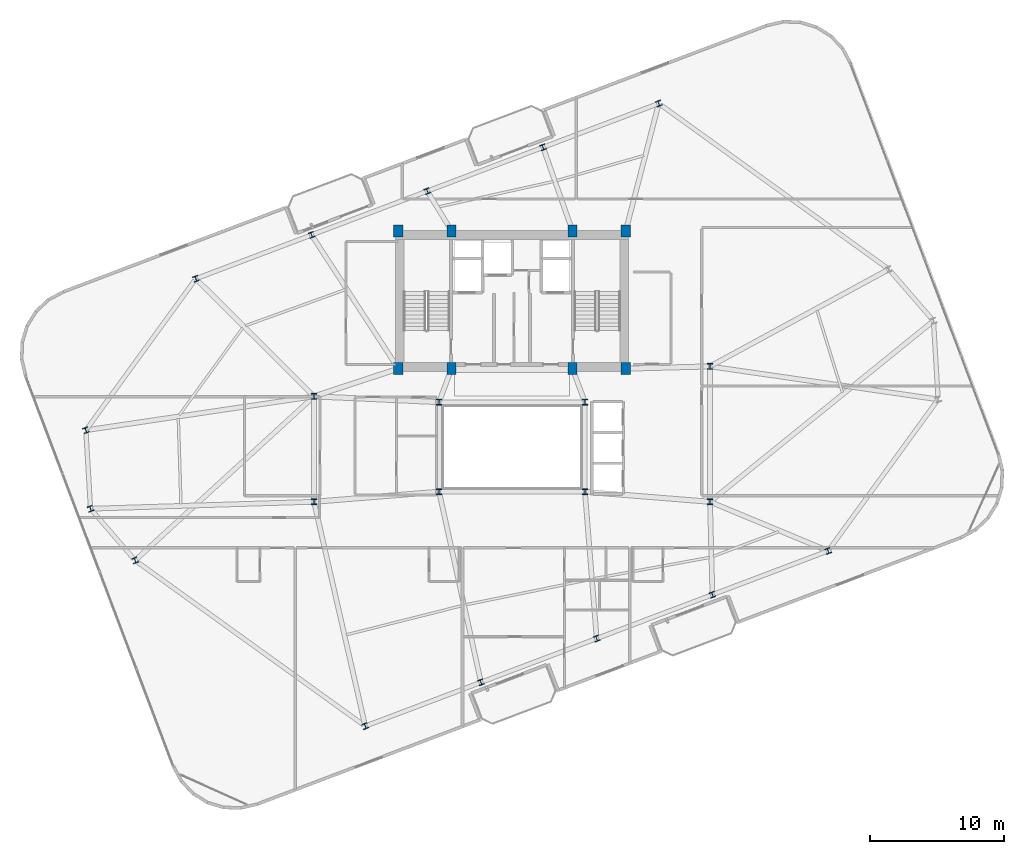
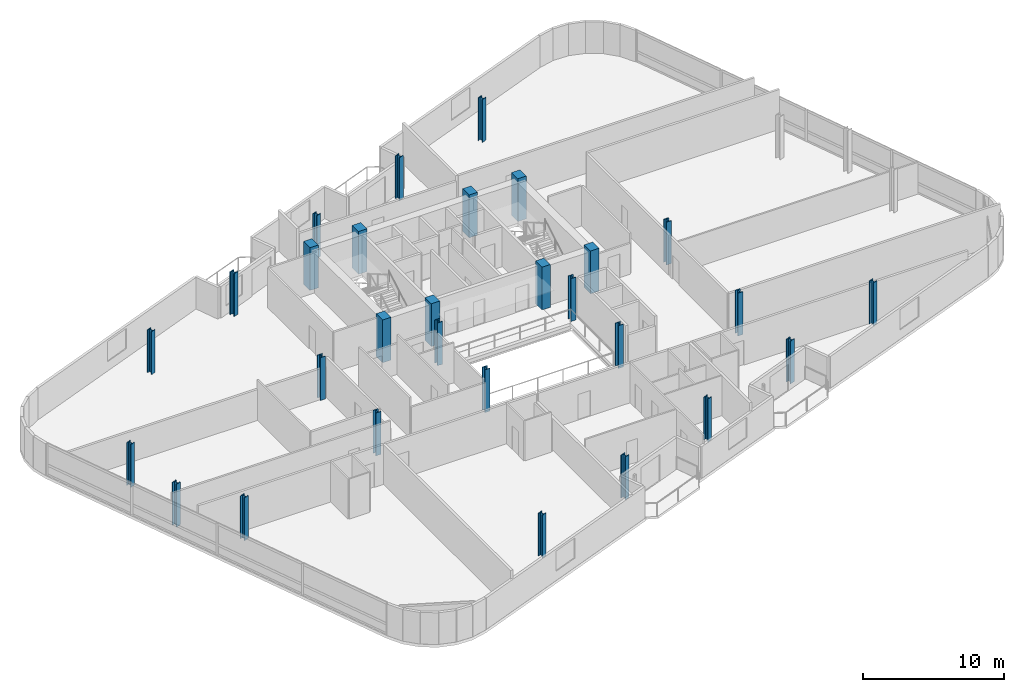
# One storey, part 1 of 23: 29 columns.
"""IFC4 building model written with IfcOpenShell, lengths in metres."""

from ifc_helpers import new_model, si_unit, direction, frame, origin, origin_2d, place, context, subcontext, project, spatial, rectangle, i_section, extrude, material, material_profile, profile_set, type_object, element, save


model = new_model("IFC4")

# Units and contexts
model_context = context("Model", 3, precision=1e-05, world=origin(), true_north=direction((0.0, 1.0)))
body_context = subcontext(model_context, "Body", "Model", "MODEL_VIEW")
ifc_project = project(units=[si_unit("LENGTHUNIT", "METRE"), si_unit("AREAUNIT", "SQUARE_METRE"), si_unit("VOLUMEUNIT", "CUBIC_METRE"), si_unit("PLANEANGLEUNIT", "RADIAN"), si_unit("MASSUNIT", "GRAM", prefix="KILO")], contexts=[model_context])

# Site, building, storey
site_placement = place(None, origin())
site = spatial("IfcSite", under=ifc_project, at=site_placement, CompositionType="ELEMENT")
building_placement = place(site_placement, origin())
building = spatial("IfcBuilding", under=site, at=building_placement, Name="Varnelok Gate Tower", CompositionType="ELEMENT")
storey_placement = place(building_placement, frame((0.0, 0.0, 227.5)))
storey = spatial("IfcBuildingStorey", under=building, at=storey_placement, Name="L58", CompositionType="ELEMENT", Elevation=227.5)

# Columns
ifc_material_1 = material(Name="Concrete C60/75", Category="concrete")
ifc_material_profile_1 = material_profile(ifc_material_1, rectangle(XDim=0.699951171875, YDim=0.89990234375, at=origin_2d()), Name="RC900X700")
ifc_profile_set_1 = profile_set([ifc_material_profile_1], Name="Concrete C60/75")
column_type_1 = type_object("IfcColumnType", Name="COL-RC900X700", PredefinedType="COLUMN", material=ifc_profile_set_1)
for number, where, z_axis, x_axis, name in (
    (1, (30.699951171875, 28.75, 0.0), (0.0, 0.0, 1.0), (1.0, 0.0, 0.0), "L58 Core Spine Column SC1"),
    (2, (34.679931640625, 28.75, 0.0), (0.0, 0.0, 1.0), (1.0, 0.0, 0.0), "L58 Core Spine Column SC2"),
    (3, (43.719970703125, 28.75, 0.0), (0.0, 0.0, 1.0), (1.0, 0.0, 0.0), "L58 Core Spine Column SC3"),
    (4, (47.699951171875, 28.75, 0.0), (0.0, 0.0, 1.0), (1.0, 0.0, 0.0), "L58 Core Spine Column SC4"),
    (5, (30.699951171875, 39.050048828125, 0.0), (0.0, 0.0, 1.0), (1.0, 0.0, 0.0), "L58 Core Spine Column SC5"),
    (6, (34.679931640625, 39.050048828125, 0.0), (0.0, 0.0, 1.0), (1.0, 0.0, 0.0), "L58 Core Spine Column SC6"),
    (7, (43.719970703125, 39.050048828125, 0.0), (0.0, 0.0, 1.0), (1.0, 0.0, 0.0), "L58 Core Spine Column SC7"),
    (8, (47.699951171875, 39.050048828125, 0.0), (0.0, 0.0, 1.0), (1.0, 0.0, 0.0), "L58 Core Spine Column SC8"),
):
    element("IfcColumn", number, at=place(storey_placement, frame(where, z_axis=z_axis, x_axis=x_axis)), inside=storey, type_object=column_type_1, Name=name, PredefinedType="COLUMN", context=body_context, shape_type="SweptSolid", body=[
        extrude(rectangle(XDim=0.699951171875, YDim=0.89990234375, at=origin_2d()), origin(), (0.0, 0.0, 1.0), 3.699951171875),
    ])
ifc_material_2 = material(Name="Structural Steel ASTM A992 Grade 50", Category="steel")
ifc_material_profile_2 = material_profile(ifc_material_2, i_section(OverallWidth=0.406005859375, OverallDepth=0.416015625, WebThickness=0.02978515625, FlangeThickness=0.048095703125, FilletRadius=0.02490234375, at=origin_2d()), Name="W14X257")
ifc_profile_set_2 = profile_set([ifc_material_profile_2], Name="Structural Steel ASTM A992 Grade 50")
column_type_2 = type_object("IfcColumnType", Name="COL-W14X257", PredefinedType="COLUMN", material=ifc_profile_set_2)
for number, where, z_axis, x_axis, name in (
    (9, (28.22900390625, 2.028076171875, 0.0), (0.0, 0.0, 1.0), (0.935221751401, 0.354062530786, 0.0), "L58 B5 Perimeter Column PC01"),
    (10, (36.8798828125, 5.30322265625, 0.0), (0.0, 0.0, 1.0), (0.935221751401, 0.354062530786, 0.0), "L58 B5 Perimeter Column PC02"),
    (11, (45.530517578125, 8.578125, 0.0), (0.0, 0.0, 1.0), (0.935221751401, 0.354062530786, 0.0), "L58 B5 Perimeter Column PC03"),
    (12, (54.181396484375, 11.853271484375, 0.0), (0.0, 0.0, 1.0), (0.935221751401, 0.354062530786, 0.0), "L58 B5 Perimeter Column PC04"),
    (13, (62.832275390625, 15.12841796875, 0.0), (0.0, 0.0, 1.0), (0.935221751401, 0.354062530786, 0.0), "L58 B5 Perimeter Column PC05"),
    (14, (50.1708984375, 48.572021484375, 0.0), (0.0, 0.0, 1.0), (0.935221751401, 0.354062530786, 0.0), "L58 B5 Perimeter Column PC09"),
    (15, (41.520263671875, 45.296875, 0.0), (0.0, 0.0, 1.0), (0.935221751401, 0.354062530786, 0.0), "L58 B5 Perimeter Column PC10"),
    (16, (32.869384765625, 42.021728515625, 0.0), (0.0, 0.0, 1.0), (0.935221751401, 0.354062530786, 0.0), "L58 B5 Perimeter Column PC11"),
    (17, (24.218505859375, 38.74658203125, 0.0), (0.0, 0.0, 1.0), (0.935221751401, 0.354062530786, 0.0), "L58 B5 Perimeter Column PC12"),
    (18, (15.56787109375, 35.4716796875, 0.0), (0.0, 0.0, 1.0), (0.935221751401, 0.354062530786, 0.0), "L58 B5 Perimeter Column PC13"),
    (19, (7.344970703125, 24.146484375, 0.0), (0.0, 0.0, 1.0), (0.935221751401, 0.354062530786, 0.0), "L58 B5 Perimeter Column PC14"),
    (20, (7.694580078125, 18.280517578125, 0.0), (0.0, 0.0, 1.0), (0.935221751401, 0.354062530786, 0.0), "L58 B5 Perimeter Column PC15"),
    (21, (11.027099609375, 14.42041015625, 0.0), (0.0, 0.0, 1.0), (0.935221751401, 0.354062530786, 0.0), "L58 B5 Perimeter Column PC16"),
):
    element("IfcColumn", number, at=place(storey_placement, frame(where, z_axis=z_axis, x_axis=x_axis)), inside=storey, type_object=column_type_2, Name=name, PredefinedType="COLUMN", context=body_context, shape_type="SweptSolid", body=[
        extrude(i_section(OverallWidth=0.406005859375, OverallDepth=0.416015625, WebThickness=0.02978515625, FlangeThickness=0.048095703125, FilletRadius=0.02490234375, at=origin_2d()), origin(), (0.0, 0.0, 1.0), 3.699951171875),
    ])
ifc_material_profile_3 = material_profile(ifc_material_2, i_section(OverallWidth=0.412109375, OverallDepth=0.43505859375, WebThickness=0.035888671875, FlangeThickness=0.057373046875, FilletRadius=0.02490234375, at=origin_2d()), Name="W14X311")
ifc_profile_set_3 = profile_set([ifc_material_profile_3], Name="Structural Steel ASTM A992 Grade 50")
column_type_3 = type_object("IfcColumnType", Name="COL-W14X311", PredefinedType="COLUMN", material=ifc_profile_set_3)
for number, where, z_axis, x_axis, name in (
    (22, (33.75, 19.550048828125, 0.0), (0.0, 0.0, 1.0), (1.0, 0.0, 0.0), "L58 Atrium Spine Column AC1"),
    (23, (44.64990234375, 19.550048828125, 0.0), (0.0, 0.0, 1.0), (1.0, 0.0, 0.0), "L58 Atrium Spine Column AC2"),
    (24, (33.75, 26.25, 0.0), (0.0, 0.0, 1.0), (1.0, 0.0, 0.0), "L58 Atrium Spine Column AC3"),
    (25, (44.64990234375, 26.25, 0.0), (0.0, 0.0, 1.0), (1.0, 0.0, 0.0), "L58 Atrium Spine Column AC4"),
    (26, (24.39990234375, 18.800048828125, 0.0), (0.0, 0.0, 1.0), (1.0, 0.0, 0.0), "L58 Wing Spine Column WS1"),
    (27, (24.39990234375, 26.679931640625, 0.0), (0.0, 0.0, 1.0), (1.0, 0.0, 0.0), "L58 Wing Spine Column WS2"),
    (28, (54.0, 18.800048828125, 0.0), (0.0, 0.0, 1.0), (1.0, 0.0, 0.0), "L58 Wing Spine Column ES1"),
    (29, (54.0, 28.919921875, 0.0), (0.0, 0.0, 1.0), (1.0, 0.0, 0.0), "L58 Wing Spine Column ES2"),
):
    element("IfcColumn", number, at=place(storey_placement, frame(where, z_axis=z_axis, x_axis=x_axis)), inside=storey, type_object=column_type_3, Name=name, PredefinedType="COLUMN", context=body_context, shape_type="SweptSolid", body=[
        extrude(i_section(OverallWidth=0.412109375, OverallDepth=0.43505859375, WebThickness=0.035888671875, FlangeThickness=0.057373046875, FilletRadius=0.02490234375, at=origin_2d()), origin(), (0.0, 0.0, 1.0), 3.699951171875),
    ])

save(model, "model.ifc")
